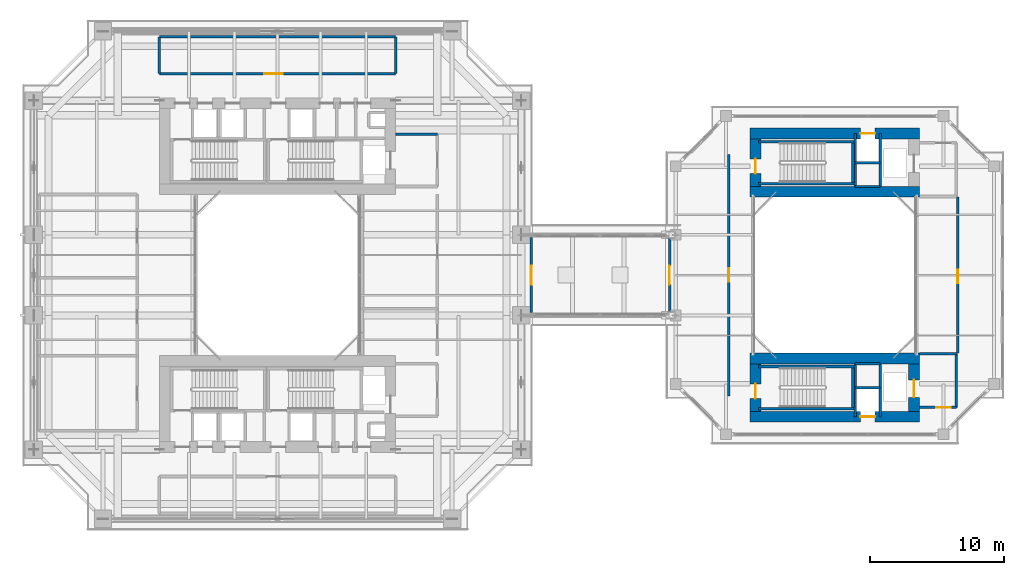
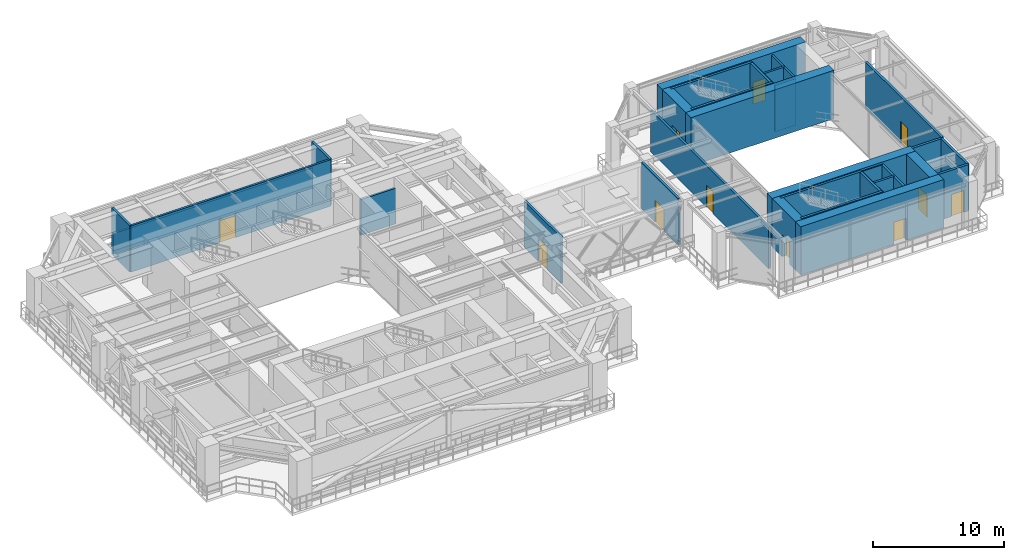
# One storey, part 19 of 25: 33 walls, 11 doors, 11 openings.
"""IFC4 building model written with IfcOpenShell, lengths in metres."""

from ifc_helpers import new_model, si_unit, direction, frame, frame_2d, origin, place, context, subcontext, project, spatial, rectangle, extrude, source, transform, mapped, material, layer, layer_set, type_object, element, fill, save


model = new_model("IFC4")

# Units and contexts
model_context = context("Model", 3, precision=1e-05, world=origin(), true_north=direction((0.0, 1.0)))
body_context = subcontext(model_context, "Body", "Model", "MODEL_VIEW")
ifc_project = project(units=[si_unit("LENGTHUNIT", "METRE"), si_unit("AREAUNIT", "SQUARE_METRE"), si_unit("VOLUMEUNIT", "CUBIC_METRE"), si_unit("PLANEANGLEUNIT", "RADIAN"), si_unit("MASSUNIT", "GRAM", prefix="KILO"), si_unit("THERMODYNAMICTEMPERATUREUNIT", "KELVIN"), si_unit("POWERUNIT", "WATT")], contexts=[model_context])

# Site, building, storey
site_placement = place(None, origin())
site = spatial("IfcSite", under=ifc_project, at=site_placement, CompositionType="ELEMENT")
building_placement = place(site_placement, origin())
building = spatial("IfcBuilding", under=site, at=building_placement, Name="Qiaomeng Ring Towers", CompositionType="ELEMENT")
storey_placement = place(building_placement, frame((0.0, 0.0, 92.5)))
storey = spatial("IfcBuildingStorey", under=building, at=storey_placement, Name="L26", CompositionType="ELEMENT", Elevation=92.5)

# Walls
ifc_material_1 = material(Name="Autoclaved aerated concrete block", Category="concrete")
ifc_layer_1 = layer(ifc_material_1, 0.199951171875, Name="Autoclaved aerated concrete block")
ifc_layer_set_1 = layer_set([ifc_layer_1], Name="Autoclaved aerated concrete block")
wall_type_1 = type_object("IfcWallType", Name="ARC-WL-PW1", PredefinedType="PARTITIONING", material=ifc_layer_set_1)
wall_1_placement = place(storey_placement, frame((27.800048828125, 33.5, 0.0), z_axis=(0.0, 0.0, 1.0), x_axis=(1.0, 0.0, 0.0)))
element("IfcWall", 1, at=wall_1_placement, inside=storey, type_object=wall_type_1, Name="L26 Interior Wall PW1", PredefinedType="PARTITIONING", context=body_context, shape_type="SweptSolid", body=[
    extrude(rectangle(XDim=3.099853515625, YDim=0.199951171875, at=frame_2d((1.5498046875, 0.0))), origin(), (0.0, 0.0, 1.0), 3.31494140625),
])
for number, where, z_axis, x_axis, name in (
    (2, (10.199951171875, 38.0, 0.0), (0.0, 0.0, 1.0), (0.0, 1.0, 0.0), "L26 Interior Wall PW1"),
    (3, (27.800048828125, 38.0, 0.0), (0.0, 0.0, 1.0), (0.0, 1.0, 0.0), "L26 Interior Wall PW1"),
):
    element("IfcWall", number, at=place(storey_placement, frame(where, z_axis=z_axis, x_axis=x_axis)), inside=storey, type_object=wall_type_1, Name=name, PredefinedType="PARTITIONING", context=body_context, shape_type="SweptSolid", body=[
        extrude(rectangle(XDim=2.75, YDim=0.199951171875, at=frame_2d((1.375, 0.0))), origin(), (0.0, 0.0, 1.0), 4.320068359375),
    ])
wall_2_placement = place(storey_placement, frame((10.199951171875, 40.75, 0.0), z_axis=(0.0, 0.0, 1.0), x_axis=(1.0, 0.0, 0.0)))
element("IfcWall", 4, at=wall_2_placement, inside=storey, type_object=wall_type_1, Name="L26 Interior Wall PW1", PredefinedType="PARTITIONING", context=body_context, shape_type="SweptSolid", body=[
    extrude(rectangle(XDim=17.60009765625, YDim=0.199951171875, at=frame_2d((8.800048828125, 0.0))), origin(), (0.0, 0.0, 1.0), 1.9150390625),
])

# Wall, opening, door
wall_3_placement = place(storey_placement, frame((37.89990234375, 20.199951171875, 0.0), z_axis=(0.0, 0.0, 1.0), x_axis=(0.0, 1.0, 0.0)))
wall_3 = element("IfcWall", 5, at=wall_3_placement, inside=storey, type_object=wall_type_1, Name="L26 Interior Wall PW1", PredefinedType="PARTITIONING", context=body_context, shape_type="SweptSolid", body=[
    extrude(rectangle(XDim=5.60009765625, YDim=0.199951171875, at=frame_2d((2.800048828125, 0.0))), origin(), (0.0, 0.0, 1.0), 4.320068359375),
])
opening_1_placement = place(wall_3_placement, frame((2.10009765625, 0.0, 0.0)))
opening_1 = element("IfcOpeningElement", 6, at=opening_1_placement, cuts=wall_3, Name="Opening FD5", PredefinedType="OPENING", context=body_context, shape_type="SweptSolid", body=[
    extrude(rectangle(XDim=1.39990234375, YDim=2.050048828125, at=frame_2d((0.699951171875, 1.02490234375))), frame((0.0, 0.10986328125, 0.0), z_axis=(0.0, -1.0, 0.0), x_axis=(1.0, 0.0, 0.0)), (0.0, 0.0, 1.0), 0.219970703125),
])
ifc_material_2 = material(Name="Galvanised steel", Category="steel")
door_type_1 = type_object("IfcDoorType", Name="ARC-DR-FD5", OperationType="NOTDEFINED", PredefinedType="DOOR", material=ifc_material_2)
shared_shape_1 = source(origin(), body_context, "Body", "SweptSolid", [
    extrude(rectangle(XDim=1.39990234375, YDim=2.050048828125, at=frame_2d((0.699951171875, 1.02490234375))), frame((0.0, 0.02490234375, 0.0), z_axis=(0.0, -1.0, 0.0), x_axis=(1.0, 0.0, 0.0)), (0.0, 0.0, 1.0), 0.050048828125),
])
door_1_placement = place(opening_1_placement, origin())
door_1 = element("IfcDoor", 7, at=door_1_placement, inside=storey, type_object=door_type_1, Name="SB2 West Tower Fire Door", OperationType="SINGLE_SWING_RIGHT", OverallHeight=2.050048828125, OverallWidth=1.39990234375, PredefinedType="DOOR", context=body_context, shape_type="MappedRepresentation", body=[
    mapped(shared_shape_1, transform((0.0, 0.0, 0.0), x_axis=(1.0, 0.0, 0.0), y_axis=(0.0, 1.0, 0.0), z_axis=(0.0, 0.0, 1.0), scale=1.0)),
])
fill(opening_1, door_1)

wall_4_placement = place(storey_placement, frame((48.199951171875, 20.199951171875, 0.0), z_axis=(0.0, 0.0, 1.0), x_axis=(0.0, 1.0, 0.0)))
wall_4 = element("IfcWall", 8, at=wall_4_placement, inside=storey, type_object=wall_type_1, Name="L26 Interior Wall PW1", PredefinedType="PARTITIONING", context=body_context, shape_type="SweptSolid", body=[
    extrude(rectangle(XDim=5.60009765625, YDim=0.199951171875, at=frame_2d((2.800048828125, 0.0))), origin(), (0.0, 0.0, 1.0), 4.320068359375),
])
opening_2_placement = place(wall_4_placement, frame((2.10009765625, 0.0, 0.0)))
opening_2 = element("IfcOpeningElement", 9, at=opening_2_placement, cuts=wall_4, Name="Opening FD5", PredefinedType="OPENING", context=body_context, shape_type="SweptSolid", body=[
    extrude(rectangle(XDim=1.39990234375, YDim=2.050048828125, at=frame_2d((0.699951171875, 1.02490234375))), frame((0.0, 0.10986328125, 0.0), z_axis=(0.0, -1.0, 0.0), x_axis=(1.0, 0.0, 0.0)), (0.0, 0.0, 1.0), 0.219970703125),
])
door_2_placement = place(opening_2_placement, origin())
door_2 = element("IfcDoor", 10, at=door_2_placement, inside=storey, type_object=door_type_1, Name="SB2 Companion Fire Door", OperationType="SINGLE_SWING_LEFT", OverallHeight=2.050048828125, OverallWidth=1.39990234375, PredefinedType="DOOR", context=body_context, shape_type="MappedRepresentation", body=[
    mapped(shared_shape_1, transform((0.0, 0.0, 0.0), x_axis=(1.0, 0.0, 0.0), y_axis=(0.0, 1.0, 0.0), z_axis=(0.0, 0.0, 1.0), scale=1.0)),
])
fill(opening_2, door_2)

# Walls
wall_5_placement = place(storey_placement, frame((66.800048828125, 17.14990234375, 0.0), z_axis=(0.0, 0.0, 1.0), x_axis=(1.0, 0.0, 0.0)))
element("IfcWall", 11, at=wall_5_placement, inside=storey, type_object=wall_type_1, Name="L26 Interior Wall PW1", PredefinedType="PARTITIONING", context=body_context, shape_type="SweptSolid", body=[
    extrude(rectangle(XDim=2.75, YDim=0.199951171875, at=frame_2d((1.375, 0.0))), origin(), (0.0, 0.0, 1.0), 4.320068359375),
])
wall_6_placement = place(storey_placement, frame((69.550048828125, 13.14990234375, 0.0), z_axis=(0.0, 0.0, 1.0), x_axis=(0.0, 1.0, 0.0)))
element("IfcWall", 12, at=wall_6_placement, inside=storey, type_object=wall_type_1, Name="L26 Interior Wall PW1", PredefinedType="PARTITIONING", context=body_context, shape_type="SweptSolid", body=[
    extrude(rectangle(XDim=4.0, YDim=0.199951171875, at=frame_2d((2.0, 0.0))), origin(), (0.0, 0.0, 1.0), 4.320068359375),
])

# Wall, opening, door
wall_7_placement = place(storey_placement, frame((66.800048828125, 13.14990234375, 0.0), z_axis=(0.0, 0.0, 1.0), x_axis=(1.0, 0.0, 0.0)))
wall_7 = element("IfcWall", 13, at=wall_7_placement, inside=storey, type_object=wall_type_1, Name="L26 Interior Wall PW1", PredefinedType="PARTITIONING", context=body_context, shape_type="SweptSolid", body=[
    extrude(rectangle(XDim=2.75, YDim=0.199951171875, at=frame_2d((1.375, 0.0))), origin(), (0.0, 0.0, 1.0), 4.320068359375),
])
opening_3_placement = place(wall_7_placement, frame((1.25, 0.0, 0.0)))
opening_3 = element("IfcOpeningElement", 14, at=opening_3_placement, cuts=wall_7, Name="Opening FD3", PredefinedType="OPENING", context=body_context, shape_type="SweptSolid", body=[
    extrude(rectangle(XDim=1.10009765625, YDim=2.050048828125, at=frame_2d((0.550048828125, 1.02490234375))), frame((0.0, 0.10986328125, 0.0), z_axis=(0.0, -1.0, 0.0), x_axis=(1.0, 0.0, 0.0)), (0.0, 0.0, 1.0), 0.219970703125),
])
door_type_2 = type_object("IfcDoorType", Name="ARC-DR-FD3", OperationType="NOTDEFINED", PredefinedType="DOOR", material=ifc_material_2)
shared_shape_2 = source(origin(), body_context, "Body", "SweptSolid", [
    extrude(rectangle(XDim=1.10009765625, YDim=2.050048828125, at=frame_2d((0.550048828125, 1.02490234375))), frame((0.0, 0.02490234375, 0.0), z_axis=(0.0, -1.0, 0.0), x_axis=(1.0, 0.0, 0.0)), (0.0, 0.0, 1.0), 0.050048828125),
])
door_3_placement = place(opening_3_placement, origin())
door_3 = element("IfcDoor", 15, at=door_3_placement, inside=storey, type_object=door_type_2, Name="L26 Door FD3", OperationType="SINGLE_SWING_RIGHT", OverallHeight=2.050048828125, OverallWidth=1.10009765625, PredefinedType="DOOR", context=body_context, shape_type="MappedRepresentation", body=[
    mapped(shared_shape_2, transform((0.0, 0.0, 0.0), x_axis=(1.0, 0.0, 0.0), y_axis=(0.0, 1.0, 0.0), z_axis=(0.0, 0.0, 1.0), scale=1.0)),
])
fill(opening_3, door_3)

wall_8_placement = place(storey_placement, frame((52.60009765625, 14.0, 0.0), z_axis=(0.0, 0.0, 1.0), x_axis=(0.0, 1.0, 0.0)))
wall_8 = element("IfcWall", 16, at=wall_8_placement, inside=storey, type_object=wall_type_1, Name="L26 Interior Wall PW1", PredefinedType="PARTITIONING", context=body_context, shape_type="SweptSolid", body=[
    extrude(rectangle(XDim=18.0, YDim=0.199951171875, at=frame_2d((9.0, 0.0))), origin(), (0.0, 0.0, 1.0), 3.864990234375),
])
opening_4_placement = place(wall_8_placement, frame((8.5, 0.0, 0.0)))
opening_4 = element("IfcOpeningElement", 17, at=opening_4_placement, cuts=wall_8, Name="Opening FD1", PredefinedType="OPENING", context=body_context, shape_type="SweptSolid", body=[
    extrude(rectangle(XDim=1.0, YDim=2.050048828125, at=frame_2d((0.5, 1.02490234375))), frame((0.0, 0.10986328125, 0.0), z_axis=(0.0, -1.0, 0.0), x_axis=(1.0, 0.0, 0.0)), (0.0, 0.0, 1.0), 0.219970703125),
])
door_type_3 = type_object("IfcDoorType", Name="ARC-DR-FD1", OperationType="NOTDEFINED", PredefinedType="DOOR", material=ifc_material_2)
shared_shape_3 = source(origin(), body_context, "Body", "SweptSolid", [
    extrude(rectangle(XDim=1.0, YDim=2.050048828125, at=frame_2d((0.5, 1.02490234375))), frame((0.0, 0.02490234375, 0.0), z_axis=(0.0, -1.0, 0.0), x_axis=(1.0, 0.0, 0.0)), (0.0, 0.0, 1.0), 0.050048828125),
])
door_4_placement = place(opening_4_placement, origin())
door_4 = element("IfcDoor", 18, at=door_4_placement, inside=storey, type_object=door_type_3, Name="L26 Door FD1", OperationType="SINGLE_SWING_RIGHT", OverallHeight=2.050048828125, OverallWidth=1.0, PredefinedType="DOOR", context=body_context, shape_type="MappedRepresentation", body=[
    mapped(shared_shape_3, transform((0.0, 0.0, 0.0), x_axis=(1.0, 0.0, 0.0), y_axis=(0.0, 1.0, 0.0), z_axis=(0.0, 0.0, 1.0), scale=1.0)),
])
fill(opening_4, door_4)

wall_9_placement = place(storey_placement, frame((69.64990234375, 17.199951171875, 0.0), z_axis=(0.0, 0.0, 1.0), x_axis=(0.0, 1.0, 0.0)))
wall_9 = element("IfcWall", 19, at=wall_9_placement, inside=storey, type_object=wall_type_1, Name="L26 Interior Wall PW1", PredefinedType="PARTITIONING", context=body_context, shape_type="SweptSolid", body=[
    extrude(rectangle(XDim=11.60009765625, YDim=0.199951171875, at=frame_2d((5.800048828125, 0.0))), origin(), (0.0, 0.0, 1.0), 4.320068359375),
])
opening_5_placement = place(wall_9_placement, frame((5.199951171875, 0.0, 0.0)))
opening_5 = element("IfcOpeningElement", 20, at=opening_5_placement, cuts=wall_9, Name="Opening FD1", PredefinedType="OPENING", context=body_context, shape_type="SweptSolid", body=[
    extrude(rectangle(XDim=1.0, YDim=2.050048828125, at=frame_2d((0.5, 1.02490234375))), frame((0.0, 0.10986328125, 0.0), z_axis=(0.0, -1.0, 0.0), x_axis=(1.0, 0.0, 0.0)), (0.0, 0.0, 1.0), 0.219970703125),
])
door_5_placement = place(opening_5_placement, origin())
door_5 = element("IfcDoor", 21, at=door_5_placement, inside=storey, type_object=door_type_3, Name="L26 Door FD1", OperationType="SINGLE_SWING_LEFT", OverallHeight=2.050048828125, OverallWidth=1.0, PredefinedType="DOOR", context=body_context, shape_type="MappedRepresentation", body=[
    mapped(shared_shape_3, transform((0.0, 0.0, 0.0), x_axis=(1.0, 0.0, 0.0), y_axis=(0.0, 1.0, 0.0), z_axis=(0.0, 0.0, 1.0), scale=1.0)),
])
fill(opening_5, door_5)

ifc_layer_2 = layer(ifc_material_1, 0.179931640625, Name="Autoclaved aerated concrete block")
ifc_layer_set_2 = layer_set([ifc_layer_2], Name="Autoclaved aerated concrete block")
wall_type_2 = type_object("IfcWallType", Name="ARC-WL-PW2", PredefinedType="PARTITIONING", material=ifc_layer_set_2)
wall_10_placement = place(storey_placement, frame((10.199951171875, 38.0, 0.0), z_axis=(0.0, 0.0, 1.0), x_axis=(1.0, 0.0, 0.0)))
wall_10 = element("IfcWall", 22, at=wall_10_placement, inside=storey, type_object=wall_type_2, Name="L26 Interior Wall PW2", PredefinedType="PARTITIONING", context=body_context, shape_type="SweptSolid", body=[
    extrude(rectangle(XDim=17.60009765625, YDim=0.179931640625, at=frame_2d((8.800048828125, 0.0))), origin(), (0.0, 0.0, 1.0), 4.320068359375),
])
opening_6_placement = place(wall_10_placement, frame((7.800048828125, 0.0, 0.0)))
opening_6 = element("IfcOpeningElement", 23, at=opening_6_placement, cuts=wall_10, Name="Opening FD5", PredefinedType="OPENING", context=body_context, shape_type="SweptSolid", body=[
    extrude(rectangle(XDim=1.39990234375, YDim=2.050048828125, at=frame_2d((0.699951171875, 1.02490234375))), frame((0.0, 0.099853515625, 0.0), z_axis=(0.0, -1.0, 0.0), x_axis=(1.0, 0.0, 0.0)), (0.0, 0.0, 1.0), 0.199951171875),
])
door_6_placement = place(opening_6_placement, origin())
door_6 = element("IfcDoor", 24, at=door_6_placement, inside=storey, type_object=door_type_1, Name="L26 Sky Lobby Entrance Door", OperationType="SINGLE_SWING_LEFT", OverallHeight=2.050048828125, OverallWidth=1.39990234375, PredefinedType="DOOR", context=body_context, shape_type="MappedRepresentation", body=[
    mapped(shared_shape_1, transform((0.0, 0.0, 0.0), x_axis=(1.0, 0.0, 0.0), y_axis=(0.0, 1.0, 0.0), z_axis=(0.0, 0.0, 1.0), scale=1.0)),
])
fill(opening_6, door_6)

# Walls
ifc_material_3 = material(Name="Concrete C40", Category="concrete")
ifc_layer_3 = layer(ifc_material_3, 0.199951171875, Name="Concrete C40")
ifc_layer_set_3 = layer_set([ifc_layer_3], Name="Concrete C40")
wall_type_3 = type_object("IfcWallType", Name="STR-WL-STSHAFT", PredefinedType="SHEAR", material=ifc_layer_set_3)
for number, where, z_axis, x_axis, name in (
    (25, (62.02001953125, 29.60009765625, 0.0), (0.0, 0.0, 1.0), (0.0, 1.0, 0.0), "L26 Companion Lift Shaft West Wall N"),
    (26, (63.8798828125, 29.60009765625, 0.0), (0.0, 0.0, 1.0), (0.0, 1.0, 0.0), "L26 Companion Lift Shaft East Wall N"),
):
    element("IfcWall", number, at=place(storey_placement, frame(where, z_axis=z_axis, x_axis=x_axis)), inside=storey, type_object=wall_type_3, Name=name, PredefinedType="SHEAR", context=body_context, shape_type="SweptSolid", body=[
        extrude(rectangle(XDim=3.949951171875, YDim=0.179931640625, at=frame_2d((1.97509765625, 0.0))), origin(), (0.0, 0.0, 1.0), 4.320068359375),
    ])
for number, where, z_axis, x_axis, name in (
    (27, (62.02001953125, 31.3798828125, 0.0), (0.0, 0.0, 1.0), (1.0, 0.0, 0.0), "L26 Companion Lift Shaft Divider Wall N"),
    (28, (62.02001953125, 29.60009765625, 0.0), (0.0, 0.0, 1.0), (1.0, 0.0, 0.0), "L26 Companion Riser Shaft Back Wall N"),
):
    element("IfcWall", number, at=place(storey_placement, frame(where, z_axis=z_axis, x_axis=x_axis)), inside=storey, type_object=wall_type_3, Name=name, PredefinedType="SHEAR", context=body_context, shape_type="SweptSolid", body=[
        extrude(rectangle(XDim=1.85986328125, YDim=0.179931640625, at=frame_2d((0.929931640625, 0.0))), origin(), (0.0, 0.0, 1.0), 4.320068359375),
    ])
for number, where, z_axis, x_axis, name in (
    (29, (62.02001953125, 12.449951171875, 0.0), (0.0, 0.0, 1.0), (0.0, 1.0, 0.0), "L26 Companion Lift Shaft West Wall S"),
    (30, (63.8798828125, 12.449951171875, 0.0), (0.0, 0.0, 1.0), (0.0, 1.0, 0.0), "L26 Companion Lift Shaft East Wall S"),
):
    element("IfcWall", number, at=place(storey_placement, frame(where, z_axis=z_axis, x_axis=x_axis)), inside=storey, type_object=wall_type_3, Name=name, PredefinedType="SHEAR", context=body_context, shape_type="SweptSolid", body=[
        extrude(rectangle(XDim=3.949951171875, YDim=0.179931640625, at=frame_2d((1.97509765625, 0.0))), origin(), (0.0, 0.0, 1.0), 4.320068359375),
    ])
for number, where, z_axis, x_axis, name in (
    (31, (62.02001953125, 14.6201171875, 0.0), (0.0, 0.0, 1.0), (1.0, 0.0, 0.0), "L26 Companion Lift Shaft Divider Wall S"),
    (32, (62.02001953125, 16.39990234375, 0.0), (0.0, 0.0, 1.0), (1.0, 0.0, 0.0), "L26 Companion Riser Shaft Back Wall S"),
):
    element("IfcWall", number, at=place(storey_placement, frame(where, z_axis=z_axis, x_axis=x_axis)), inside=storey, type_object=wall_type_3, Name=name, PredefinedType="SHEAR", context=body_context, shape_type="SweptSolid", body=[
        extrude(rectangle(XDim=1.85986328125, YDim=0.179931640625, at=frame_2d((0.929931640625, 0.0))), origin(), (0.0, 0.0, 1.0), 4.320068359375),
    ])
for number, where, z_axis, x_axis, name in (
    (33, (54.800048828125, 29.800048828125, 0.0), (0.0, 0.0, 1.0), (1.0, 0.0, 0.0), "L26 Stair ST5 South Shaft Shear Wall"),
    (34, (54.800048828125, 32.93994140625, 0.0), (0.0, 0.0, 1.0), (1.0, 0.0, 0.0), "L26 Stair ST5 North Shaft Shear Wall"),
):
    element("IfcWall", number, at=place(storey_placement, frame(where, z_axis=z_axis, x_axis=x_axis)), inside=storey, type_object=wall_type_3, Name=name, PredefinedType="SHEAR", context=body_context, shape_type="SweptSolid", body=[
        extrude(rectangle(XDim=7.14990234375, YDim=0.199951171875, at=frame_2d((3.574951171875, 0.0))), origin(), (0.0, 0.0, 1.0), 4.5),
    ])
wall_11_placement = place(storey_placement, frame((61.85009765625, 29.89990234375, 0.0), z_axis=(0.0, 0.0, 1.0), x_axis=(0.0, 1.0, 0.0)))
element("IfcWall", 35, at=wall_11_placement, inside=storey, type_object=wall_type_3, Name="L26 Stair ST5 East Shaft Shear Wall", PredefinedType="SHEAR", context=body_context, shape_type="SweptSolid", body=[
    extrude(rectangle(XDim=2.940185546875, YDim=0.199951171875, at=frame_2d((1.47021484375, 0.0))), origin(), (0.0, 0.0, 1.0), 4.5),
])
for number, where, z_axis, x_axis, name in (
    (36, (54.800048828125, 13.06005859375, 0.0), (0.0, 0.0, 1.0), (1.0, 0.0, 0.0), "L26 Stair ST6 South Shaft Shear Wall"),
    (37, (54.800048828125, 16.199951171875, 0.0), (0.0, 0.0, 1.0), (1.0, 0.0, 0.0), "L26 Stair ST6 North Shaft Shear Wall"),
):
    element("IfcWall", number, at=place(storey_placement, frame(where, z_axis=z_axis, x_axis=x_axis)), inside=storey, type_object=wall_type_3, Name=name, PredefinedType="SHEAR", context=body_context, shape_type="SweptSolid", body=[
        extrude(rectangle(XDim=7.14990234375, YDim=0.199951171875, at=frame_2d((3.574951171875, 0.0))), origin(), (0.0, 0.0, 1.0), 4.5),
    ])
wall_12_placement = place(storey_placement, frame((61.85009765625, 13.159912109375, 0.0), z_axis=(0.0, 0.0, 1.0), x_axis=(0.0, 1.0, 0.0)))
element("IfcWall", 38, at=wall_12_placement, inside=storey, type_object=wall_type_3, Name="L26 Stair ST6 East Shaft Shear Wall", PredefinedType="SHEAR", context=body_context, shape_type="SweptSolid", body=[
    extrude(rectangle(XDim=2.940185546875, YDim=0.199951171875, at=frame_2d((1.47021484375, 0.0))), origin(), (0.0, 0.0, 1.0), 4.5),
])
ifc_material_4 = material(Name="Concrete C60", Category="concrete")
ifc_layer_4 = layer(ifc_material_4, 0.800048828125, Name="Concrete C60")
ifc_layer_set_4 = layer_set([ifc_layer_4], Name="Concrete C60")
wall_type_4 = type_object("IfcWallType", Name="STR-WL-SW1", PredefinedType="SHEAR", material=ifc_layer_set_4)
wall_13_placement = place(storey_placement, frame((54.199951171875, 29.199951171875, 0.0), z_axis=(0.0, 0.0, 1.0), x_axis=(1.0, 0.0, 0.0)))
element("IfcWall", 39, at=wall_13_placement, inside=storey, type_object=wall_type_4, Name="L26 T2NC south core shear wall", PredefinedType="SHEAR", context=body_context, shape_type="SweptSolid", body=[
    extrude(rectangle(XDim=12.60009765625, YDim=0.800048828125, at=frame_2d((6.300048828125, 0.0))), origin(), (0.0, 0.0, 1.0), 4.5),
])

# Wall, opening, door
wall_14_placement = place(storey_placement, frame((54.199951171875, 33.550048828125, 0.0), z_axis=(0.0, 0.0, 1.0), x_axis=(1.0, 0.0, 0.0)))
wall_14 = element("IfcWall", 40, at=wall_14_placement, inside=storey, type_object=wall_type_4, Name="L26 T2NC north core shear wall", PredefinedType="SHEAR", context=body_context, shape_type="SweptSolid", body=[
    extrude(rectangle(XDim=12.60009765625, YDim=0.800048828125, at=frame_2d((6.300048828125, 0.0))), origin(), (0.0, 0.0, 1.0), 4.5),
])
opening_7_placement = place(wall_14_placement, frame((8.199951171875, 0.0, 0.0)))
opening_7 = element("IfcOpeningElement", 41, at=opening_7_placement, cuts=wall_14, Name="Opening LD1", PredefinedType="OPENING", context=body_context, shape_type="SweptSolid", body=[
    extrude(rectangle(XDim=1.10009765625, YDim=2.050048828125, at=frame_2d((0.550048828125, 1.02490234375))), frame((0.0, 0.409912109375, 0.0), z_axis=(0.0, -1.0, 0.0), x_axis=(1.0, 0.0, 0.0)), (0.0, 0.0, 1.0), 0.820068359375),
])
ifc_material_5 = material(Name="Stainless steel 316", Category="steel")
door_type_4 = type_object("IfcDoorType", Name="ARC-DR-LD1", OperationType="NOTDEFINED", PredefinedType="DOOR", material=ifc_material_5)
door_7_placement = place(opening_7_placement, origin())
door_7 = element("IfcDoor", 42, at=door_7_placement, inside=storey, type_object=door_type_4, Name="L26 Companion Lift LP7 Landing Door", OperationType="SLIDING_TO_LEFT", OverallHeight=2.050048828125, OverallWidth=1.10009765625, PredefinedType="DOOR", context=body_context, shape_type="MappedRepresentation", body=[
    mapped(shared_shape_2, transform((0.0, 0.0, 0.0), x_axis=(1.0, 0.0, 0.0), y_axis=(0.0, 1.0, 0.0), z_axis=(0.0, 0.0, 1.0), scale=1.0)),
])
fill(opening_7, door_7)

wall_15_placement = place(storey_placement, frame((54.60009765625, 29.60009765625, 0.0), z_axis=(0.0, 0.0, 1.0), x_axis=(0.0, 1.0, 0.0)))
wall_15 = element("IfcWall", 43, at=wall_15_placement, inside=storey, type_object=wall_type_4, Name="L26 T2NC west core shear wall", PredefinedType="SHEAR", context=body_context, shape_type="SweptSolid", body=[
    extrude(rectangle(XDim=3.5498046875, YDim=0.800048828125, at=frame_2d((1.77490234375, 0.0))), origin(), (0.0, 0.0, 1.0), 4.5),
])
opening_8_placement = place(wall_15_placement, frame((0.949951171875, 0.0, 0.0)))
opening_8 = element("IfcOpeningElement", 44, at=opening_8_placement, cuts=wall_15, Name="Opening FD3", PredefinedType="OPENING", context=body_context, shape_type="SweptSolid", body=[
    extrude(rectangle(XDim=1.10009765625, YDim=2.050048828125, at=frame_2d((0.550048828125, 1.02490234375))), frame((0.0, 0.409912109375, 0.0), z_axis=(0.0, -1.0, 0.0), x_axis=(1.0, 0.0, 0.0)), (0.0, 0.0, 1.0), 0.820068359375),
])
door_8_placement = place(opening_8_placement, origin())
door_8 = element("IfcDoor", 45, at=door_8_placement, inside=storey, type_object=door_type_2, Name="L26 Stair ST5 Exit Door", OperationType="SINGLE_SWING_LEFT", OverallHeight=2.050048828125, OverallWidth=1.10009765625, PredefinedType="DOOR", context=body_context, shape_type="MappedRepresentation", body=[
    mapped(shared_shape_2, transform((0.0, 0.0, 0.0), x_axis=(1.0, 0.0, 0.0), y_axis=(0.0, 1.0, 0.0), z_axis=(0.0, 0.0, 1.0), scale=1.0)),
])
fill(opening_8, door_8)

wall_16_placement = place(storey_placement, frame((54.199951171875, 12.449951171875, 0.0), z_axis=(0.0, 0.0, 1.0), x_axis=(1.0, 0.0, 0.0)))
wall_16 = element("IfcWall", 46, at=wall_16_placement, inside=storey, type_object=wall_type_4, Name="L26 T2SC south core shear wall", PredefinedType="SHEAR", context=body_context, shape_type="SweptSolid", body=[
    extrude(rectangle(XDim=12.60009765625, YDim=0.800048828125, at=frame_2d((6.300048828125, 0.0))), origin(), (0.0, 0.0, 1.0), 4.5),
])
opening_9_placement = place(wall_16_placement, frame((8.199951171875, 0.0, 0.0)))
opening_9 = element("IfcOpeningElement", 47, at=opening_9_placement, cuts=wall_16, Name="Opening LD1", PredefinedType="OPENING", context=body_context, shape_type="SweptSolid", body=[
    extrude(rectangle(XDim=1.10009765625, YDim=2.050048828125, at=frame_2d((0.550048828125, 1.02490234375))), frame((0.0, 0.409912109375, 0.0), z_axis=(0.0, -1.0, 0.0), x_axis=(1.0, 0.0, 0.0)), (0.0, 0.0, 1.0), 0.820068359375),
])
door_9_placement = place(opening_9_placement, origin())
door_9 = element("IfcDoor", 48, at=door_9_placement, inside=storey, type_object=door_type_4, Name="L26 Companion Lift LP8 Landing Door", OperationType="SLIDING_TO_RIGHT", OverallHeight=2.050048828125, OverallWidth=1.10009765625, PredefinedType="DOOR", context=body_context, shape_type="MappedRepresentation", body=[
    mapped(shared_shape_2, transform((0.0, 0.0, 0.0), x_axis=(1.0, 0.0, 0.0), y_axis=(0.0, 1.0, 0.0), z_axis=(0.0, 0.0, 1.0), scale=1.0)),
])
fill(opening_9, door_9)

# Wall
wall_17_placement = place(storey_placement, frame((54.199951171875, 16.800048828125, 0.0), z_axis=(0.0, 0.0, 1.0), x_axis=(1.0, 0.0, 0.0)))
element("IfcWall", 49, at=wall_17_placement, inside=storey, type_object=wall_type_4, Name="L26 T2SC north core shear wall", PredefinedType="SHEAR", context=body_context, shape_type="SweptSolid", body=[
    extrude(rectangle(XDim=12.60009765625, YDim=0.800048828125, at=frame_2d((6.300048828125, 0.0))), origin(), (0.0, 0.0, 1.0), 4.5),
])

# Wall, opening, door
wall_18_placement = place(storey_placement, frame((54.60009765625, 12.85009765625, 0.0), z_axis=(0.0, 0.0, 1.0), x_axis=(0.0, 1.0, 0.0)))
wall_18 = element("IfcWall", 50, at=wall_18_placement, inside=storey, type_object=wall_type_4, Name="L26 T2SC west core shear wall", PredefinedType="SHEAR", context=body_context, shape_type="SweptSolid", body=[
    extrude(rectangle(XDim=3.5498046875, YDim=0.800048828125, at=frame_2d((1.77490234375, 0.0))), origin(), (0.0, 0.0, 1.0), 4.5),
])
opening_10_placement = place(wall_18_placement, frame((0.949951171875, 0.0, 0.0)))
opening_10 = element("IfcOpeningElement", 51, at=opening_10_placement, cuts=wall_18, Name="Opening FD3", PredefinedType="OPENING", context=body_context, shape_type="SweptSolid", body=[
    extrude(rectangle(XDim=1.10009765625, YDim=2.050048828125, at=frame_2d((0.550048828125, 1.02490234375))), frame((0.0, 0.409912109375, 0.0), z_axis=(0.0, -1.0, 0.0), x_axis=(1.0, 0.0, 0.0)), (0.0, 0.0, 1.0), 0.820068359375),
])
door_10_placement = place(opening_10_placement, origin())
door_10 = element("IfcDoor", 52, at=door_10_placement, inside=storey, type_object=door_type_2, Name="L26 Stair ST6 Exit Door", OperationType="SINGLE_SWING_LEFT", OverallHeight=2.050048828125, OverallWidth=1.10009765625, PredefinedType="DOOR", context=body_context, shape_type="MappedRepresentation", body=[
    mapped(shared_shape_2, transform((0.0, 0.0, 0.0), x_axis=(1.0, 0.0, 0.0), y_axis=(0.0, 1.0, 0.0), z_axis=(0.0, 0.0, 1.0), scale=1.0)),
])
fill(opening_10, door_10)

wall_19_placement = place(storey_placement, frame((66.39990234375, 12.85009765625, 0.0), z_axis=(0.0, 0.0, 1.0), x_axis=(0.0, 1.0, 0.0)))
wall_19 = element("IfcWall", 53, at=wall_19_placement, inside=storey, type_object=wall_type_4, Name="L26 T2SC east core shear wall", PredefinedType="SHEAR", context=body_context, shape_type="SweptSolid", body=[
    extrude(rectangle(XDim=3.5498046875, YDim=0.800048828125, at=frame_2d((1.77490234375, 0.0))), origin(), (0.0, 0.0, 1.0), 4.5),
])
opening_11_placement = place(wall_19_placement, frame((1.050048828125, 0.0, 0.0)))
opening_11 = element("IfcOpeningElement", 54, at=opening_11_placement, cuts=wall_19, Name="Opening LD2", PredefinedType="OPENING", context=body_context, shape_type="SweptSolid", body=[
    extrude(rectangle(XDim=1.300048828125, YDim=2.050048828125, at=frame_2d((0.64990234375, 1.02490234375))), frame((0.0, 0.409912109375, 0.0), z_axis=(0.0, -1.0, 0.0), x_axis=(1.0, 0.0, 0.0)), (0.0, 0.0, 1.0), 0.820068359375),
])
door_type_5 = type_object("IfcDoorType", Name="ARC-DR-LD2", OperationType="NOTDEFINED", PredefinedType="DOOR", material=ifc_material_5)
shared_shape_4 = source(origin(), body_context, "Body", "SweptSolid", [
    extrude(rectangle(XDim=1.300048828125, YDim=2.050048828125, at=frame_2d((0.64990234375, 1.02490234375))), frame((0.0, 0.02490234375, 0.0), z_axis=(0.0, -1.0, 0.0), x_axis=(1.0, 0.0, 0.0)), (0.0, 0.0, 1.0), 0.050048828125),
])
door_11_placement = place(opening_11_placement, origin())
door_11 = element("IfcDoor", 55, at=door_11_placement, inside=storey, type_object=door_type_5, Name="L26 Firefighting Lift FL4 Landing Door", OperationType="SLIDING_TO_RIGHT", OverallHeight=2.050048828125, OverallWidth=1.300048828125, PredefinedType="DOOR", context=body_context, shape_type="MappedRepresentation", body=[
    mapped(shared_shape_4, transform((0.0, 0.0, 0.0), x_axis=(1.0, 0.0, 0.0), y_axis=(0.0, 1.0, 0.0), z_axis=(0.0, 0.0, 1.0), scale=1.0)),
])
fill(opening_11, door_11)

save(model, "model.ifc")
